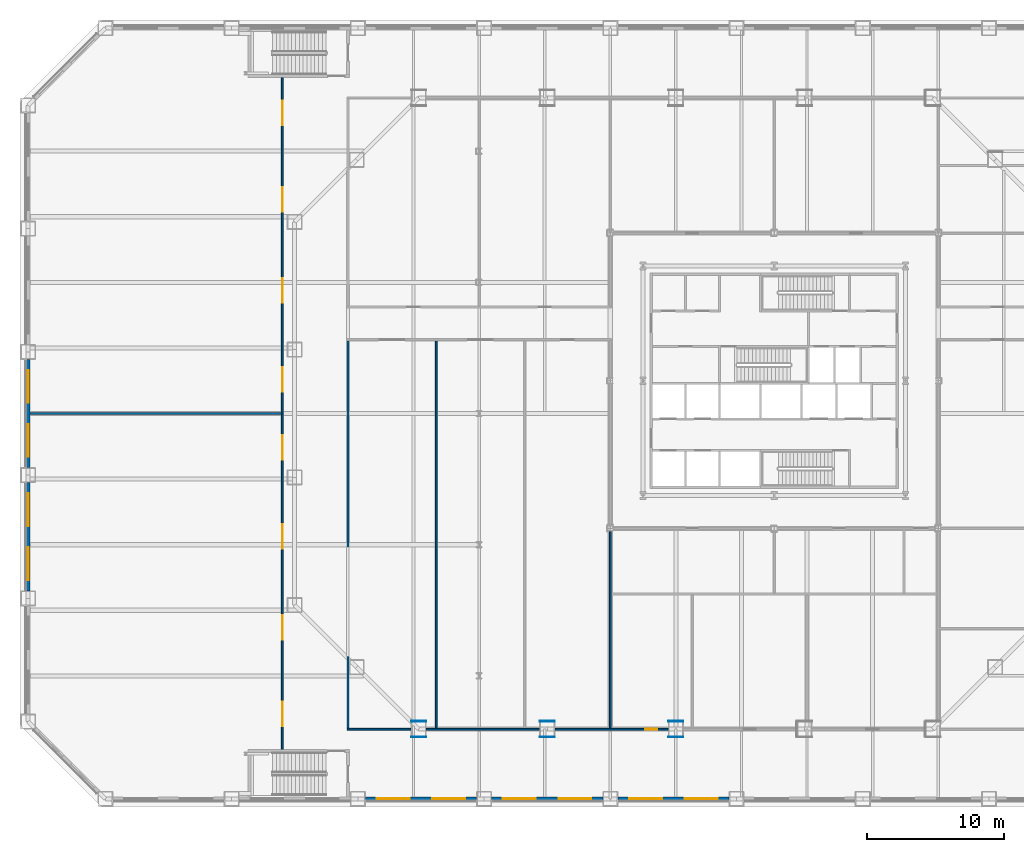
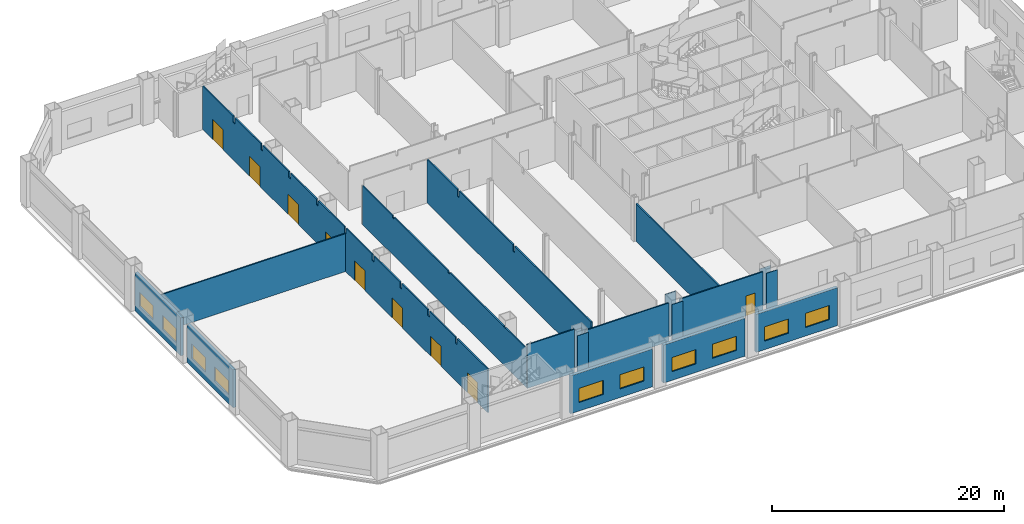
# One storey, part 12 of 26: 19 walls, 10 windows, 9 doors, 19 openings.
"""IFC4 building model written with IfcOpenShell, lengths in metres."""

from ifc_helpers import new_model, si_unit, direction, frame, frame_2d, origin, place, context, subcontext, project, spatial, polyline, rectangle, outline, extrude, material, layer, layer_set, type_object, element, fill, save


model = new_model("IFC4")

# Units and contexts
model_context = context("Model", 3, precision=1e-05, world=origin(), true_north=direction((0.0, 1.0)))
body_context = subcontext(model_context, "Body", "Model", "MODEL_VIEW")
ifc_project = project(units=[si_unit("LENGTHUNIT", "METRE"), si_unit("AREAUNIT", "SQUARE_METRE"), si_unit("VOLUMEUNIT", "CUBIC_METRE"), si_unit("PLANEANGLEUNIT", "RADIAN"), si_unit("MASSUNIT", "GRAM", prefix="KILO")], contexts=[model_context])

# Site, building, storey
site_placement = place(None, origin())
site = spatial("IfcSite", under=ifc_project, at=site_placement, CompositionType="ELEMENT")
building_placement = place(site_placement, origin())
building = spatial("IfcBuilding", under=site, at=building_placement, Name="Cairn Pilgrim Tower", CompositionType="ELEMENT")
storey_placement = place(building_placement, frame((0.0, 0.0, 25.800048828125)))
storey = spatial("IfcBuildingStorey", under=building, at=storey_placement, Name="L04", CompositionType="ELEMENT", Elevation=25.800048828125)

# Wall, openings, doors
ifc_material_1 = material(Name="Gypsum partition")
ifc_layer_1 = layer(ifc_material_1, 0.125)
ifc_layer_set_1 = layer_set([ifc_layer_1], Name="PARTITION 125 DRYWALL EI 60")
wall_type_1 = type_object("IfcWallType", Name="PARTITION 125 DRYWALL EI 60", PredefinedType="PARTITIONING", material=ifc_layer_set_1)
wall_1_placement = place(storey_placement, frame((-28.800048828125, -24.60009765625, 0.0), z_axis=(0.0, 0.0, 1.0), x_axis=(0.0, 1.0, 0.0)))
wall_1 = element("IfcWall", 1, at=wall_1_placement, inside=storey, type_object=wall_type_1, Name="PARTITION W007", PredefinedType="PARTITIONING", context=body_context, shape_type="SweptSolid", body=[
    extrude(outline(polyline([(0.0, 0.0), (49.2001953125, 0.0), (49.199951171875, 4.599853515625), (43.949951171875, 4.599853515625), (43.947998046875, 3.97998046875), (43.64990234375, 3.97998046875), (43.64794921875, 4.599853515625), (39.14990234375, 4.599853515625), (39.14794921875, 3.97998046875), (38.85009765625, 3.97998046875), (38.847900390625, 4.599853515625), (34.35009765625, 4.599853515625), (34.347900390625, 3.97998046875), (34.050048828125, 3.97998046875), (34.048095703125, 4.599853515625), (29.550048828125, 4.599853515625), (29.548095703125, 3.97998046875), (29.25, 3.97998046875), (29.248046875, 4.599853515625), (24.75, 4.599853515625), (24.748046875, 3.97998046875), (24.449951171875, 3.97998046875), (24.447998046875, 4.599853515625), (19.949951171875, 4.599853515625), (19.947998046875, 3.97998046875), (19.64990234375, 3.97998046875), (19.64794921875, 4.599853515625), (15.14990234375, 4.599853515625), (15.14794921875, 3.97998046875), (14.85009765625, 3.97998046875), (14.847900390625, 4.599853515625), (10.35009765625, 4.599853515625), (10.347900390625, 3.97998046875), (10.050048828125, 3.97998046875), (10.048095703125, 4.599853515625), (5.550048828125, 4.599853515625), (5.548095703125, 3.97998046875), (5.25, 3.97998046875), (5.248046875, 4.599853515625), (0.0, 4.599853515625), (0.0, 0.0)])), frame((0.0, 0.0625, 0.0), z_axis=(0.0, -1.0, 0.0), x_axis=(1.0, 0.0, 0.0)), (0.0, 0.0, 1.0), 0.125),
])
opening_1_placement = place(wall_1_placement, frame((1.699951171875, 0.0, 0.0)))
opening_1 = element("IfcOpeningElement", 2, at=opening_1_placement, cuts=wall_1, Name="Opening 0428", PredefinedType="OPENING", context=body_context, shape_type="SweptSolid", body=[
    extrude(rectangle(XDim=1.800048828125, YDim=2.10009765625, at=frame_2d((0.89990234375, 1.050048828125))), frame((0.0, 0.072509765625, 0.0), z_axis=(0.0, -1.0, 0.0), x_axis=(1.0, 0.0, 0.0)), (0.0, 0.0, 1.0), 0.14501953125),
])
opening_2_placement = place(wall_1_placement, frame((8.050048828125, 0.0, 0.0)))
opening_2 = element("IfcOpeningElement", 3, at=opening_2_placement, cuts=wall_1, Name="Opening 0429", PredefinedType="OPENING", context=body_context, shape_type="SweptSolid", body=[
    extrude(rectangle(XDim=1.800048828125, YDim=2.10009765625, at=frame_2d((0.89990234375, 1.050048828125))), frame((0.0, 0.072509765625, 0.0), z_axis=(0.0, -1.0, 0.0), x_axis=(1.0, 0.0, 0.0)), (0.0, 0.0, 1.0), 0.14501953125),
])
opening_3_placement = place(wall_1_placement, frame((14.699951171875, 0.0, 0.0)))
opening_3 = element("IfcOpeningElement", 4, at=opening_3_placement, cuts=wall_1, Name="Opening 0430", PredefinedType="OPENING", context=body_context, shape_type="SweptSolid", body=[
    extrude(rectangle(XDim=1.800048828125, YDim=2.10009765625, at=frame_2d((0.89990234375, 1.050048828125))), frame((0.0, 0.072509765625, 0.0), z_axis=(0.0, -1.0, 0.0), x_axis=(1.0, 0.0, 0.0)), (0.0, 0.0, 1.0), 0.14501953125),
])
opening_4_placement = place(wall_1_placement, frame((21.199951171875, 0.0, 0.0)))
opening_4 = element("IfcOpeningElement", 5, at=opening_4_placement, cuts=wall_1, Name="Opening 0431", PredefinedType="OPENING", context=body_context, shape_type="SweptSolid", body=[
    extrude(rectangle(XDim=1.800048828125, YDim=2.10009765625, at=frame_2d((0.89990234375, 1.050048828125))), frame((0.0, 0.072509765625, 0.0), z_axis=(0.0, -1.0, 0.0), x_axis=(1.0, 0.0, 0.0)), (0.0, 0.0, 1.0), 0.14501953125),
])
opening_5_placement = place(wall_1_placement, frame((26.199951171875, 0.0, 0.0)))
opening_5 = element("IfcOpeningElement", 6, at=opening_5_placement, cuts=wall_1, Name="Opening 0432", PredefinedType="OPENING", context=body_context, shape_type="SweptSolid", body=[
    extrude(rectangle(XDim=1.800048828125, YDim=2.10009765625, at=frame_2d((0.89990234375, 1.050048828125))), frame((0.0, 0.072509765625, 0.0), z_axis=(0.0, -1.0, 0.0), x_axis=(1.0, 0.0, 0.0)), (0.0, 0.0, 1.0), 0.14501953125),
])
opening_6_placement = place(wall_1_placement, frame((32.699951171875, 0.0, 0.0)))
opening_6 = element("IfcOpeningElement", 7, at=opening_6_placement, cuts=wall_1, Name="Opening 0433", PredefinedType="OPENING", context=body_context, shape_type="SweptSolid", body=[
    extrude(rectangle(XDim=1.800048828125, YDim=2.10009765625, at=frame_2d((0.89990234375, 1.050048828125))), frame((0.0, 0.072509765625, 0.0), z_axis=(0.0, -1.0, 0.0), x_axis=(1.0, 0.0, 0.0)), (0.0, 0.0, 1.0), 0.14501953125),
])
opening_7_placement = place(wall_1_placement, frame((39.35009765625, 0.0, 0.0)))
opening_7 = element("IfcOpeningElement", 8, at=opening_7_placement, cuts=wall_1, Name="Opening 0434", PredefinedType="OPENING", context=body_context, shape_type="SweptSolid", body=[
    extrude(rectangle(XDim=1.800048828125, YDim=2.10009765625, at=frame_2d((0.89990234375, 1.050048828125))), frame((0.0, 0.072509765625, 0.0), z_axis=(0.0, -1.0, 0.0), x_axis=(1.0, 0.0, 0.0)), (0.0, 0.0, 1.0), 0.14501953125),
])
opening_8_placement = place(wall_1_placement, frame((45.699951171875, 0.0, 0.0)))
opening_8 = element("IfcOpeningElement", 9, at=opening_8_placement, cuts=wall_1, Name="Opening 0435", PredefinedType="OPENING", context=body_context, shape_type="SweptSolid", body=[
    extrude(rectangle(XDim=1.800048828125, YDim=2.10009765625, at=frame_2d((0.89990234375, 1.050048828125))), frame((0.0, 0.072509765625, 0.0), z_axis=(0.0, -1.0, 0.0), x_axis=(1.0, 0.0, 0.0)), (0.0, 0.0, 1.0), 0.14501953125),
])
ifc_material_2 = material(Name="Timber door leaf", Category="wood")
door_type_1 = type_object("IfcDoorType", Name="DOOR PAIR 1800x2100 FD60S", OperationType="NOTDEFINED", PredefinedType="DOOR", material=ifc_material_2)
door_1_placement = place(opening_1_placement, frame((1.800048828125, 0.0, 0.0), z_axis=(0.0, 0.0, 1.0), x_axis=(-1.0, 0.0, 0.0)))
door_1 = element("IfcDoor", 10, at=door_1_placement, inside=storey, type_object=door_type_1, Name="DOOR 0428", OperationType="DOUBLE_DOOR_SINGLE_SWING", OverallHeight=2.10009765625, OverallWidth=1.800048828125, PredefinedType="DOOR", context=body_context, shape_type="SweptSolid", body=[
    extrude(rectangle(XDim=1.800048828125, YDim=2.10009765625, at=frame_2d((0.89990234375, 1.050048828125))), frame((0.0, 0.02490234375, 0.0), z_axis=(0.0, -1.0, 0.0), x_axis=(1.0, 0.0, 0.0)), (0.0, 0.0, 1.0), 0.050048828125),
])
fill(opening_1, door_1)
door_2_placement = place(opening_2_placement, frame((1.800048828125, 0.0, 0.0), z_axis=(0.0, 0.0, 1.0), x_axis=(-1.0, 0.0, 0.0)))
door_2 = element("IfcDoor", 11, at=door_2_placement, inside=storey, type_object=door_type_1, Name="DOOR 0429", OperationType="DOUBLE_DOOR_SINGLE_SWING", OverallHeight=2.10009765625, OverallWidth=1.800048828125, PredefinedType="DOOR", context=body_context, shape_type="SweptSolid", body=[
    extrude(rectangle(XDim=1.800048828125, YDim=2.10009765625, at=frame_2d((0.89990234375, 1.050048828125))), frame((0.0, 0.02490234375, 0.0), z_axis=(0.0, -1.0, 0.0), x_axis=(1.0, 0.0, 0.0)), (0.0, 0.0, 1.0), 0.050048828125),
])
fill(opening_2, door_2)
door_3_placement = place(opening_3_placement, frame((1.800048828125, 0.0, 0.0), z_axis=(0.0, 0.0, 1.0), x_axis=(-1.0, 0.0, 0.0)))
door_3 = element("IfcDoor", 12, at=door_3_placement, inside=storey, type_object=door_type_1, Name="DOOR 0430", OperationType="DOUBLE_DOOR_SINGLE_SWING", OverallHeight=2.10009765625, OverallWidth=1.800048828125, PredefinedType="DOOR", context=body_context, shape_type="SweptSolid", body=[
    extrude(rectangle(XDim=1.800048828125, YDim=2.10009765625, at=frame_2d((0.89990234375, 1.050048828125))), frame((0.0, 0.02490234375, 0.0), z_axis=(0.0, -1.0, 0.0), x_axis=(1.0, 0.0, 0.0)), (0.0, 0.0, 1.0), 0.050048828125),
])
fill(opening_3, door_3)
door_4_placement = place(opening_4_placement, frame((1.800048828125, 0.0, 0.0), z_axis=(0.0, 0.0, 1.0), x_axis=(-1.0, 0.0, 0.0)))
door_4 = element("IfcDoor", 13, at=door_4_placement, inside=storey, type_object=door_type_1, Name="DOOR 0431", OperationType="DOUBLE_DOOR_SINGLE_SWING", OverallHeight=2.10009765625, OverallWidth=1.800048828125, PredefinedType="DOOR", context=body_context, shape_type="SweptSolid", body=[
    extrude(rectangle(XDim=1.800048828125, YDim=2.10009765625, at=frame_2d((0.89990234375, 1.050048828125))), frame((0.0, 0.02490234375, 0.0), z_axis=(0.0, -1.0, 0.0), x_axis=(1.0, 0.0, 0.0)), (0.0, 0.0, 1.0), 0.050048828125),
])
fill(opening_4, door_4)
door_5_placement = place(opening_5_placement, frame((1.800048828125, 0.0, 0.0), z_axis=(0.0, 0.0, 1.0), x_axis=(-1.0, 0.0, 0.0)))
door_5 = element("IfcDoor", 14, at=door_5_placement, inside=storey, type_object=door_type_1, Name="DOOR 0432", OperationType="DOUBLE_DOOR_SINGLE_SWING", OverallHeight=2.10009765625, OverallWidth=1.800048828125, PredefinedType="DOOR", context=body_context, shape_type="SweptSolid", body=[
    extrude(rectangle(XDim=1.800048828125, YDim=2.10009765625, at=frame_2d((0.89990234375, 1.050048828125))), frame((0.0, 0.02490234375, 0.0), z_axis=(0.0, -1.0, 0.0), x_axis=(1.0, 0.0, 0.0)), (0.0, 0.0, 1.0), 0.050048828125),
])
fill(opening_5, door_5)
door_6_placement = place(opening_6_placement, frame((1.800048828125, 0.0, 0.0), z_axis=(0.0, 0.0, 1.0), x_axis=(-1.0, 0.0, 0.0)))
door_6 = element("IfcDoor", 15, at=door_6_placement, inside=storey, type_object=door_type_1, Name="DOOR 0433", OperationType="DOUBLE_DOOR_SINGLE_SWING", OverallHeight=2.10009765625, OverallWidth=1.800048828125, PredefinedType="DOOR", context=body_context, shape_type="SweptSolid", body=[
    extrude(rectangle(XDim=1.800048828125, YDim=2.10009765625, at=frame_2d((0.89990234375, 1.050048828125))), frame((0.0, 0.02490234375, 0.0), z_axis=(0.0, -1.0, 0.0), x_axis=(1.0, 0.0, 0.0)), (0.0, 0.0, 1.0), 0.050048828125),
])
fill(opening_6, door_6)
door_7_placement = place(opening_7_placement, frame((1.800048828125, 0.0, 0.0), z_axis=(0.0, 0.0, 1.0), x_axis=(-1.0, 0.0, 0.0)))
door_7 = element("IfcDoor", 16, at=door_7_placement, inside=storey, type_object=door_type_1, Name="DOOR 0434", OperationType="DOUBLE_DOOR_SINGLE_SWING", OverallHeight=2.10009765625, OverallWidth=1.800048828125, PredefinedType="DOOR", context=body_context, shape_type="SweptSolid", body=[
    extrude(rectangle(XDim=1.800048828125, YDim=2.10009765625, at=frame_2d((0.89990234375, 1.050048828125))), frame((0.0, 0.02490234375, 0.0), z_axis=(0.0, -1.0, 0.0), x_axis=(1.0, 0.0, 0.0)), (0.0, 0.0, 1.0), 0.050048828125),
])
fill(opening_7, door_7)
door_8_placement = place(opening_8_placement, frame((1.800048828125, 0.0, 0.0), z_axis=(0.0, 0.0, 1.0), x_axis=(-1.0, 0.0, 0.0)))
door_8 = element("IfcDoor", 17, at=door_8_placement, inside=storey, type_object=door_type_1, Name="DOOR 0435", OperationType="DOUBLE_DOOR_SINGLE_SWING", OverallHeight=2.10009765625, OverallWidth=1.800048828125, PredefinedType="DOOR", context=body_context, shape_type="SweptSolid", body=[
    extrude(rectangle(XDim=1.800048828125, YDim=2.10009765625, at=frame_2d((0.89990234375, 1.050048828125))), frame((0.0, 0.02490234375, 0.0), z_axis=(0.0, -1.0, 0.0), x_axis=(1.0, 0.0, 0.0)), (0.0, 0.0, 1.0), 0.050048828125),
])
fill(opening_8, door_8)

# Walls
wall_2_placement = place(storey_placement, frame((-24.0625, -23.10009765625, 0.0), z_axis=(0.0, 0.0, 1.0), x_axis=(1.0, 0.0, 0.0)))
element("IfcWall", 18, at=wall_2_placement, inside=storey, type_object=wall_type_1, Name="PARTITION W008", PredefinedType="PARTITIONING", context=body_context, shape_type="SweptSolid", body=[
    extrude(rectangle(XDim=4.685302734375, YDim=0.125, at=frame_2d((2.3427734375, 0.0))), origin(), (0.0, 0.0, 1.0), 4.599853515625),
])
wall_3_placement = place(storey_placement, frame((-18.277099609375, -23.10009765625, 0.0), z_axis=(0.0, 0.0, 1.0), x_axis=(1.0, 0.0, 0.0)))
element("IfcWall", 19, at=wall_3_placement, inside=storey, type_object=wall_type_1, Name="PARTITION W009", PredefinedType="PARTITIONING", context=body_context, shape_type="SweptSolid", body=[
    extrude(rectangle(XDim=8.3134765625, YDim=0.125, at=frame_2d((4.15673828125, 0.0))), origin(), (0.0, 0.0, 1.0), 4.079833984375),
])

# Wall, opening, door
wall_4_placement = place(storey_placement, frame((-8.863525390625, -23.10009765625, 0.0), z_axis=(0.0, 0.0, 1.0), x_axis=(1.0, 0.0, 0.0)))
wall_4 = element("IfcWall", 20, at=wall_4_placement, inside=storey, type_object=wall_type_1, Name="PARTITION W010", PredefinedType="PARTITIONING", context=body_context, shape_type="SweptSolid", body=[
    extrude(rectangle(XDim=8.3134765625, YDim=0.125, at=frame_2d((4.15673828125, 0.0))), origin(), (0.0, 0.0, 1.0), 4.079833984375),
])
opening_9_placement = place(wall_4_placement, frame((6.613525390625, 0.0, 0.0)))
opening_9 = element("IfcOpeningElement", 21, at=opening_9_placement, cuts=wall_4, Name="Opening 0411", PredefinedType="OPENING", context=body_context, shape_type="SweptSolid", body=[
    extrude(rectangle(XDim=0.89990234375, YDim=2.10009765625, at=frame_2d((0.449951171875, 1.050048828125))), frame((0.0, 0.072509765625, 0.0), z_axis=(0.0, -1.0, 0.0), x_axis=(1.0, 0.0, 0.0)), (0.0, 0.0, 1.0), 0.14501953125),
])
door_type_2 = type_object("IfcDoorType", Name="SERVICE DOOR 900x2100 FD30S", OperationType="NOTDEFINED", PredefinedType="DOOR", material=ifc_material_2)
door_9_placement = place(opening_9_placement, frame((0.89990234375, 0.0, 0.0), z_axis=(0.0, 0.0, 1.0), x_axis=(-1.0, 0.0, 0.0)))
door_9 = element("IfcDoor", 22, at=door_9_placement, inside=storey, type_object=door_type_2, Name="DOOR 0411", OperationType="SINGLE_SWING_LEFT", OverallHeight=2.10009765625, OverallWidth=0.89990234375, PredefinedType="DOOR", context=body_context, shape_type="SweptSolid", body=[
    extrude(rectangle(XDim=0.89990234375, YDim=2.10009765625, at=frame_2d((0.449951171875, 1.050048828125))), frame((0.0, 0.02490234375, 0.0), z_axis=(0.0, -1.0, 0.0), x_axis=(1.0, 0.0, 0.0)), (0.0, 0.0, 1.0), 0.050048828125),
])
fill(opening_9, door_9)

# Walls
wall_5_placement = place(storey_placement, frame((-24.0, -23.03759765625, 0.0), z_axis=(0.0, 0.0, 1.0), x_axis=(0.0, 1.0, 0.0)))
element("IfcWall", 23, at=wall_5_placement, inside=storey, type_object=wall_type_1, Name="PARTITION W014", PredefinedType="PARTITIONING", context=body_context, shape_type="SweptSolid", body=[
    extrude(outline(polyline([(0.0, 0.0), (28.375, 0.0), (28.375, 4.079833984375), (23.1875, 4.079833984375), (23.185546875, 3.8798828125), (22.887451171875, 3.8798828125), (22.885498046875, 4.079833984375), (13.58740234375, 4.079833984375), (13.58544921875, 3.8798828125), (13.28759765625, 3.8798828125), (13.285400390625, 4.079833984375), (3.987548828125, 4.079833984375), (3.985595703125, 3.97998046875), (3.6875, 3.97998046875), (3.685546875, 4.079833984375), (0.0, 4.079833984375), (0.0, 0.0)])), frame((0.0, 0.0625, 0.0), z_axis=(0.0, -1.0, 0.0), x_axis=(1.0, 0.0, 0.0)), (0.0, 0.0, 1.0), 0.125),
])
wall_6_placement = place(storey_placement, frame((-17.532958984375, -23.03759765625, 0.0), z_axis=(0.0, 0.0, 1.0), x_axis=(0.0, 1.0, 0.0)))
element("IfcWall", 24, at=wall_6_placement, inside=storey, type_object=wall_type_1, Name="PARTITION W015", PredefinedType="PARTITIONING", context=body_context, shape_type="SweptSolid", body=[
    extrude(outline(polyline([(0.0, 0.0), (28.375, 0.0), (28.375, 4.599853515625), (23.1875, 4.599853515625), (23.185546875, 3.8798828125), (22.887451171875, 3.8798828125), (22.885498046875, 4.599853515625), (13.58740234375, 4.599853515625), (13.58544921875, 3.8798828125), (13.28759765625, 3.8798828125), (13.285400390625, 4.599853515625), (0.08740234375, 4.599853515625), (0.08544921875, 4.079833984375), (0.0, 4.079833984375), (0.0, 0.0)])), frame((0.0, 0.0625, 0.0), z_axis=(0.0, -1.0, 0.0), x_axis=(1.0, 0.0, 0.0)), (0.0, 0.0, 1.0), 0.125),
])
wall_7_placement = place(storey_placement, frame((-4.800048828125, -23.03759765625, 0.0), z_axis=(0.0, 0.0, 1.0), x_axis=(0.0, 1.0, 0.0)))
element("IfcWall", 25, at=wall_7_placement, inside=storey, type_object=wall_type_1, Name="PARTITION W017", PredefinedType="PARTITIONING", context=body_context, shape_type="SweptSolid", body=[
    extrude(rectangle(XDim=14.400634765625, YDim=0.125, at=frame_2d((7.2001953125, 0.0))), origin(), (0.0, 0.0, 1.0), 3.97998046875),
])
wall_8_placement = place(storey_placement, frame((-47.25, 0.0, 0.0), z_axis=(0.0, 0.0, 1.0), x_axis=(1.0, 0.0, 0.0)))
element("IfcWall", 26, at=wall_8_placement, inside=storey, type_object=wall_type_1, Name="PARTITION W038", PredefinedType="PARTITIONING", context=body_context, shape_type="SweptSolid", body=[
    extrude(rectangle(XDim=18.387451171875, YDim=0.125, at=frame_2d((9.19384765625, 0.0))), origin(), (0.0, 0.0, 1.0), 3.97998046875),
])
ifc_layer_2 = layer(ifc_material_1, 0.050048828125)
ifc_layer_set_2 = layer_set([ifc_layer_2], Name="PARTITION 50 DRYWALL EI 60")
wall_type_2 = type_object("IfcWallType", Name="PARTITION 50 DRYWALL EI 60", PredefinedType="PARTITIONING", material=ifc_layer_set_2)
wall_9_placement = place(storey_placement, frame((-19.377197265625, -22.52490234375, 0.0), z_axis=(0.0, 0.0, 1.0), x_axis=(1.0, 0.0, 0.0)))
element("IfcWall", 27, at=wall_9_placement, inside=storey, type_object=wall_type_2, Name="COLUMN CASING WC01", PredefinedType="PARTITIONING", context=body_context, shape_type="SweptSolid", body=[
    extrude(rectangle(XDim=1.10009765625, YDim=0.050048828125, at=frame_2d((0.550048828125, 0.0))), origin(), (0.0, 0.0, 1.0), 3.97998046875),
])
wall_10_placement = place(storey_placement, frame((-19.377197265625, -23.675048828125, 0.0), z_axis=(0.0, 0.0, 1.0), x_axis=(1.0, 0.0, 0.0)))
element("IfcWall", 28, at=wall_10_placement, inside=storey, type_object=wall_type_2, Name="COLUMN CASING WC02", PredefinedType="PARTITIONING", context=body_context, shape_type="SweptSolid", body=[
    extrude(rectangle(XDim=1.10009765625, YDim=0.050048828125, at=frame_2d((0.550048828125, 0.0))), origin(), (0.0, 0.0, 1.0), 4.219970703125),
])
wall_11_placement = place(storey_placement, frame((-9.963623046875, -22.52490234375, 0.0), z_axis=(0.0, 0.0, 1.0), x_axis=(1.0, 0.0, 0.0)))
element("IfcWall", 29, at=wall_11_placement, inside=storey, type_object=wall_type_2, Name="COLUMN CASING WC03", PredefinedType="PARTITIONING", context=body_context, shape_type="SweptSolid", body=[
    extrude(rectangle(XDim=1.10009765625, YDim=0.050048828125, at=frame_2d((0.550048828125, 0.0))), origin(), (0.0, 0.0, 1.0), 4.599853515625),
])
wall_12_placement = place(storey_placement, frame((-9.963623046875, -23.675048828125, 0.0), z_axis=(0.0, 0.0, 1.0), x_axis=(1.0, 0.0, 0.0)))
element("IfcWall", 30, at=wall_12_placement, inside=storey, type_object=wall_type_2, Name="COLUMN CASING WC04", PredefinedType="PARTITIONING", context=body_context, shape_type="SweptSolid", body=[
    extrude(rectangle(XDim=1.10009765625, YDim=0.050048828125, at=frame_2d((0.550048828125, 0.0))), origin(), (0.0, 0.0, 1.0), 4.219970703125),
])
wall_13_placement = place(storey_placement, frame((-0.550048828125, -22.52490234375, 0.0), z_axis=(0.0, 0.0, 1.0), x_axis=(1.0, 0.0, 0.0)))
element("IfcWall", 31, at=wall_13_placement, inside=storey, type_object=wall_type_2, Name="COLUMN CASING WC05", PredefinedType="PARTITIONING", context=body_context, shape_type="SweptSolid", body=[
    extrude(rectangle(XDim=1.10009765625, YDim=0.050048828125, at=frame_2d((0.550048828125, 0.0))), origin(), (0.0, 0.0, 1.0), 3.97998046875),
])
wall_14_placement = place(storey_placement, frame((-0.550048828125, -23.675048828125, 0.0), z_axis=(0.0, 0.0, 1.0), x_axis=(1.0, 0.0, 0.0)))
element("IfcWall", 32, at=wall_14_placement, inside=storey, type_object=wall_type_2, Name="COLUMN CASING WC06", PredefinedType="PARTITIONING", context=body_context, shape_type="SweptSolid", body=[
    extrude(rectangle(XDim=1.10009765625, YDim=0.050048828125, at=frame_2d((0.550048828125, 0.0))), origin(), (0.0, 0.0, 1.0), 4.219970703125),
])

# Wall, openings, windows
ifc_material_3 = material(Name="Concrete C35/45 backup wall with bronze aluminium cladding", Category="concrete")
ifc_layer_3 = layer(ifc_material_3, 0.300048828125)
ifc_layer_set_3 = layer_set([ifc_layer_3], Name="PODIUM WALL 300 BRONZE-CLAD")
wall_type_3 = type_object("IfcWallType", Name="PODIUM WALL 300 BRONZE-CLAD", PredefinedType="SOLIDWALL", material=ifc_layer_set_3)
wall_15_placement = place(storey_placement, frame((-22.7255859375, -28.199951171875, 0.0), z_axis=(0.0, 0.0, 1.0), x_axis=(1.0, 0.0, 0.0)))
wall_15 = element("IfcWall", 33, at=wall_15_placement, inside=storey, type_object=wall_type_3, Name="PODIUM EXTERNAL WALL S3-S4", PredefinedType="SOLIDWALL", context=body_context, shape_type="SweptSolid", body=[
    extrude(rectangle(XDim=8.1376953125, YDim=0.300048828125, at=frame_2d((4.06884765625, 0.0))), origin(), (0.0, 0.0, 1.0), 4.0),
])
opening_10_placement = place(wall_15_placement, frame((0.83447265625, 0.0, 0.89990234375)))
opening_10 = element("IfcOpeningElement", 34, at=opening_10_placement, cuts=wall_15, Name="Opening PW15", PredefinedType="OPENING", context=body_context, shape_type="SweptSolid", body=[
    extrude(rectangle(XDim=2.39990234375, YDim=1.5, at=frame_2d((1.199951171875, 0.75))), frame((0.0, 0.16015625, 0.0), z_axis=(0.0, -1.0, 0.0), x_axis=(1.0, 0.0, 0.0)), (0.0, 0.0, 1.0), 0.320068359375),
])
opening_11_placement = place(wall_15_placement, frame((4.9033203125, 0.0, 0.89990234375)))
opening_11 = element("IfcOpeningElement", 35, at=opening_11_placement, cuts=wall_15, Name="Opening PW15", PredefinedType="OPENING", context=body_context, shape_type="SweptSolid", body=[
    extrude(rectangle(XDim=2.39990234375, YDim=1.5, at=frame_2d((1.199951171875, 0.75))), frame((0.0, 0.16015625, 0.0), z_axis=(0.0, -1.0, 0.0), x_axis=(1.0, 0.0, 0.0)), (0.0, 0.0, 1.0), 0.320068359375),
])
ifc_material_4 = material(Name="Bronze anodised aluminium frame with tinted low-E glass", Category="aluminium")
window_type = type_object("IfcWindowType", Name="PODIUM FIXED WINDOW 2400x1500", PartitioningType="SINGLE_PANEL", PredefinedType="WINDOW", material=ifc_material_4)
window_1_placement = place(opening_10_placement, origin())
window_1 = element("IfcWindow", 36, at=window_1_placement, inside=storey, type_object=window_type, Name="PODIUM WINDOW", OverallHeight=1.5, OverallWidth=2.39990234375, PartitioningType="SINGLE_PANEL", PredefinedType="WINDOW", context=body_context, shape_type="SweptSolid", body=[
    extrude(rectangle(XDim=2.39990234375, YDim=1.5, at=frame_2d((1.199951171875, 0.75))), frame((0.0, 0.030029296875, 0.0), z_axis=(0.0, -1.0, 0.0), x_axis=(1.0, 0.0, 0.0)), (0.0, 0.0, 1.0), 0.06005859375),
])
fill(opening_10, window_1)
window_2_placement = place(opening_11_placement, origin())
window_2 = element("IfcWindow", 37, at=window_2_placement, inside=storey, type_object=window_type, Name="PODIUM WINDOW", OverallHeight=1.5, OverallWidth=2.39990234375, PartitioningType="SINGLE_PANEL", PredefinedType="WINDOW", context=body_context, shape_type="SweptSolid", body=[
    extrude(rectangle(XDim=2.39990234375, YDim=1.5, at=frame_2d((1.199951171875, 0.75))), frame((0.0, 0.030029296875, 0.0), z_axis=(0.0, -1.0, 0.0), x_axis=(1.0, 0.0, 0.0)), (0.0, 0.0, 1.0), 0.06005859375),
])
fill(opening_11, window_2)

wall_16_placement = place(storey_placement, frame((-13.48779296875, -28.199951171875, 0.0), z_axis=(0.0, 0.0, 1.0), x_axis=(1.0, 0.0, 0.0)))
wall_16 = element("IfcWall", 38, at=wall_16_placement, inside=storey, type_object=wall_type_3, Name="PODIUM EXTERNAL WALL S4-S5", PredefinedType="SOLIDWALL", context=body_context, shape_type="SweptSolid", body=[
    extrude(rectangle(XDim=8.1376953125, YDim=0.300048828125, at=frame_2d((4.06884765625, 0.0))), origin(), (0.0, 0.0, 1.0), 4.0),
])
opening_12_placement = place(wall_16_placement, frame((0.83447265625, 0.0, 0.89990234375)))
opening_12 = element("IfcOpeningElement", 39, at=opening_12_placement, cuts=wall_16, Name="Opening PW15", PredefinedType="OPENING", context=body_context, shape_type="SweptSolid", body=[
    extrude(rectangle(XDim=2.39990234375, YDim=1.5, at=frame_2d((1.199951171875, 0.75))), frame((0.0, 0.16015625, 0.0), z_axis=(0.0, -1.0, 0.0), x_axis=(1.0, 0.0, 0.0)), (0.0, 0.0, 1.0), 0.320068359375),
])
opening_13_placement = place(wall_16_placement, frame((4.9033203125, 0.0, 0.89990234375)))
opening_13 = element("IfcOpeningElement", 40, at=opening_13_placement, cuts=wall_16, Name="Opening PW15", PredefinedType="OPENING", context=body_context, shape_type="SweptSolid", body=[
    extrude(rectangle(XDim=2.39990234375, YDim=1.5, at=frame_2d((1.199951171875, 0.75))), frame((0.0, 0.16015625, 0.0), z_axis=(0.0, -1.0, 0.0), x_axis=(1.0, 0.0, 0.0)), (0.0, 0.0, 1.0), 0.320068359375),
])
window_3_placement = place(opening_12_placement, origin())
window_3 = element("IfcWindow", 41, at=window_3_placement, inside=storey, type_object=window_type, Name="PODIUM WINDOW", OverallHeight=1.5, OverallWidth=2.39990234375, PartitioningType="SINGLE_PANEL", PredefinedType="WINDOW", context=body_context, shape_type="SweptSolid", body=[
    extrude(rectangle(XDim=2.39990234375, YDim=1.5, at=frame_2d((1.199951171875, 0.75))), frame((0.0, 0.030029296875, 0.0), z_axis=(0.0, -1.0, 0.0), x_axis=(1.0, 0.0, 0.0)), (0.0, 0.0, 1.0), 0.06005859375),
])
fill(opening_12, window_3)
window_4_placement = place(opening_13_placement, origin())
window_4 = element("IfcWindow", 42, at=window_4_placement, inside=storey, type_object=window_type, Name="PODIUM WINDOW", OverallHeight=1.5, OverallWidth=2.39990234375, PartitioningType="SINGLE_PANEL", PredefinedType="WINDOW", context=body_context, shape_type="SweptSolid", body=[
    extrude(rectangle(XDim=2.39990234375, YDim=1.5, at=frame_2d((1.199951171875, 0.75))), frame((0.0, 0.030029296875, 0.0), z_axis=(0.0, -1.0, 0.0), x_axis=(1.0, 0.0, 0.0)), (0.0, 0.0, 1.0), 0.06005859375),
])
fill(opening_13, window_4)

wall_17_placement = place(storey_placement, frame((-4.25, -28.199951171875, 0.0), z_axis=(0.0, 0.0, 1.0), x_axis=(1.0, 0.0, 0.0)))
wall_17 = element("IfcWall", 43, at=wall_17_placement, inside=storey, type_object=wall_type_3, Name="PODIUM EXTERNAL WALL S5-S6", PredefinedType="SOLIDWALL", context=body_context, shape_type="SweptSolid", body=[
    extrude(rectangle(XDim=8.137939453125, YDim=0.300048828125, at=frame_2d((4.06884765625, 0.0))), origin(), (0.0, 0.0, 1.0), 4.0),
])
opening_14_placement = place(wall_17_placement, frame((0.83447265625, 0.0, 0.89990234375)))
opening_14 = element("IfcOpeningElement", 44, at=opening_14_placement, cuts=wall_17, Name="Opening PW15", PredefinedType="OPENING", context=body_context, shape_type="SweptSolid", body=[
    extrude(rectangle(XDim=2.39990234375, YDim=1.5, at=frame_2d((1.199951171875, 0.75))), frame((0.0, 0.16015625, 0.0), z_axis=(0.0, -1.0, 0.0), x_axis=(1.0, 0.0, 0.0)), (0.0, 0.0, 1.0), 0.320068359375),
])
opening_15_placement = place(wall_17_placement, frame((4.9033203125, 0.0, 0.89990234375)))
opening_15 = element("IfcOpeningElement", 45, at=opening_15_placement, cuts=wall_17, Name="Opening PW15", PredefinedType="OPENING", context=body_context, shape_type="SweptSolid", body=[
    extrude(rectangle(XDim=2.39990234375, YDim=1.5, at=frame_2d((1.199951171875, 0.75))), frame((0.0, 0.16015625, 0.0), z_axis=(0.0, -1.0, 0.0), x_axis=(1.0, 0.0, 0.0)), (0.0, 0.0, 1.0), 0.320068359375),
])
window_5_placement = place(opening_14_placement, origin())
window_5 = element("IfcWindow", 46, at=window_5_placement, inside=storey, type_object=window_type, Name="PODIUM WINDOW", OverallHeight=1.5, OverallWidth=2.39990234375, PartitioningType="SINGLE_PANEL", PredefinedType="WINDOW", context=body_context, shape_type="SweptSolid", body=[
    extrude(rectangle(XDim=2.39990234375, YDim=1.5, at=frame_2d((1.199951171875, 0.75))), frame((0.0, 0.030029296875, 0.0), z_axis=(0.0, -1.0, 0.0), x_axis=(1.0, 0.0, 0.0)), (0.0, 0.0, 1.0), 0.06005859375),
])
fill(opening_14, window_5)
window_6_placement = place(opening_15_placement, origin())
window_6 = element("IfcWindow", 47, at=window_6_placement, inside=storey, type_object=window_type, Name="PODIUM WINDOW", OverallHeight=1.5, OverallWidth=2.39990234375, PartitioningType="SINGLE_PANEL", PredefinedType="WINDOW", context=body_context, shape_type="SweptSolid", body=[
    extrude(rectangle(XDim=2.39990234375, YDim=1.5, at=frame_2d((1.199951171875, 0.75))), frame((0.0, 0.030029296875, 0.0), z_axis=(0.0, -1.0, 0.0), x_axis=(1.0, 0.0, 0.0)), (0.0, 0.0, 1.0), 0.06005859375),
])
fill(opening_15, window_6)

wall_18_placement = place(storey_placement, frame((-47.39990234375, 3.960205078125, 0.0), z_axis=(0.0, 0.0, 1.0), x_axis=(0.0, -1.0, 0.0)))
wall_18 = element("IfcWall", 48, at=wall_18_placement, inside=storey, type_object=wall_type_3, Name="PODIUM EXTERNAL WALL W3-W4", PredefinedType="SOLIDWALL", context=body_context, shape_type="SweptSolid", body=[
    extrude(rectangle(XDim=7.92041015625, YDim=0.300048828125, at=frame_2d((3.960205078125, 0.0))), origin(), (0.0, 0.0, 1.0), 4.0),
])
opening_16_placement = place(wall_18_placement, frame((0.780029296875, 0.0, 0.89990234375)))
opening_16 = element("IfcOpeningElement", 49, at=opening_16_placement, cuts=wall_18, Name="Opening PW15", PredefinedType="OPENING", context=body_context, shape_type="SweptSolid", body=[
    extrude(rectangle(XDim=2.39990234375, YDim=1.5, at=frame_2d((1.199951171875, 0.75))), frame((0.0, 0.16015625, 0.0), z_axis=(0.0, -1.0, 0.0), x_axis=(1.0, 0.0, 0.0)), (0.0, 0.0, 1.0), 0.320068359375),
])
opening_17_placement = place(wall_18_placement, frame((4.740478515625, 0.0, 0.89990234375)))
opening_17 = element("IfcOpeningElement", 50, at=opening_17_placement, cuts=wall_18, Name="Opening PW15", PredefinedType="OPENING", context=body_context, shape_type="SweptSolid", body=[
    extrude(rectangle(XDim=2.39990234375, YDim=1.5, at=frame_2d((1.199951171875, 0.75))), frame((0.0, 0.16015625, 0.0), z_axis=(0.0, -1.0, 0.0), x_axis=(1.0, 0.0, 0.0)), (0.0, 0.0, 1.0), 0.320068359375),
])
window_7_placement = place(opening_16_placement, origin())
window_7 = element("IfcWindow", 51, at=window_7_placement, inside=storey, type_object=window_type, Name="PODIUM WINDOW", OverallHeight=1.5, OverallWidth=2.39990234375, PartitioningType="SINGLE_PANEL", PredefinedType="WINDOW", context=body_context, shape_type="SweptSolid", body=[
    extrude(rectangle(XDim=2.39990234375, YDim=1.5, at=frame_2d((1.199951171875, 0.75))), frame((0.0, 0.030029296875, 0.0), z_axis=(0.0, -1.0, 0.0), x_axis=(1.0, 0.0, 0.0)), (0.0, 0.0, 1.0), 0.06005859375),
])
fill(opening_16, window_7)
window_8_placement = place(opening_17_placement, origin())
window_8 = element("IfcWindow", 52, at=window_8_placement, inside=storey, type_object=window_type, Name="PODIUM WINDOW", OverallHeight=1.5, OverallWidth=2.39990234375, PartitioningType="SINGLE_PANEL", PredefinedType="WINDOW", context=body_context, shape_type="SweptSolid", body=[
    extrude(rectangle(XDim=2.39990234375, YDim=1.5, at=frame_2d((1.199951171875, 0.75))), frame((0.0, 0.030029296875, 0.0), z_axis=(0.0, -1.0, 0.0), x_axis=(1.0, 0.0, 0.0)), (0.0, 0.0, 1.0), 0.06005859375),
])
fill(opening_17, window_8)

wall_19_placement = place(storey_placement, frame((-47.39990234375, -5.060302734375, 0.0), z_axis=(0.0, 0.0, 1.0), x_axis=(0.0, -1.0, 0.0)))
wall_19 = element("IfcWall", 53, at=wall_19_placement, inside=storey, type_object=wall_type_3, Name="PODIUM EXTERNAL WALL W4-W5", PredefinedType="SOLIDWALL", context=body_context, shape_type="SweptSolid", body=[
    extrude(rectangle(XDim=7.920654296875, YDim=0.300048828125, at=frame_2d((3.96044921875, 0.0))), origin(), (0.0, 0.0, 1.0), 4.0),
])
opening_18_placement = place(wall_19_placement, frame((0.780029296875, 0.0, 0.89990234375)))
opening_18 = element("IfcOpeningElement", 54, at=opening_18_placement, cuts=wall_19, Name="Opening PW15", PredefinedType="OPENING", context=body_context, shape_type="SweptSolid", body=[
    extrude(rectangle(XDim=2.39990234375, YDim=1.5, at=frame_2d((1.199951171875, 0.75))), frame((0.0, 0.16015625, 0.0), z_axis=(0.0, -1.0, 0.0), x_axis=(1.0, 0.0, 0.0)), (0.0, 0.0, 1.0), 0.320068359375),
])
opening_19_placement = place(wall_19_placement, frame((4.740478515625, 0.0, 0.89990234375)))
opening_19 = element("IfcOpeningElement", 55, at=opening_19_placement, cuts=wall_19, Name="Opening PW15", PredefinedType="OPENING", context=body_context, shape_type="SweptSolid", body=[
    extrude(rectangle(XDim=2.39990234375, YDim=1.5, at=frame_2d((1.199951171875, 0.75))), frame((0.0, 0.16015625, 0.0), z_axis=(0.0, -1.0, 0.0), x_axis=(1.0, 0.0, 0.0)), (0.0, 0.0, 1.0), 0.320068359375),
])
window_9_placement = place(opening_18_placement, origin())
window_9 = element("IfcWindow", 56, at=window_9_placement, inside=storey, type_object=window_type, Name="PODIUM WINDOW", OverallHeight=1.5, OverallWidth=2.39990234375, PartitioningType="SINGLE_PANEL", PredefinedType="WINDOW", context=body_context, shape_type="SweptSolid", body=[
    extrude(rectangle(XDim=2.39990234375, YDim=1.5, at=frame_2d((1.199951171875, 0.75))), frame((0.0, 0.030029296875, 0.0), z_axis=(0.0, -1.0, 0.0), x_axis=(1.0, 0.0, 0.0)), (0.0, 0.0, 1.0), 0.06005859375),
])
fill(opening_18, window_9)
window_10_placement = place(opening_19_placement, origin())
window_10 = element("IfcWindow", 57, at=window_10_placement, inside=storey, type_object=window_type, Name="PODIUM WINDOW", OverallHeight=1.5, OverallWidth=2.39990234375, PartitioningType="SINGLE_PANEL", PredefinedType="WINDOW", context=body_context, shape_type="SweptSolid", body=[
    extrude(rectangle(XDim=2.39990234375, YDim=1.5, at=frame_2d((1.199951171875, 0.75))), frame((0.0, 0.030029296875, 0.0), z_axis=(0.0, -1.0, 0.0), x_axis=(1.0, 0.0, 0.0)), (0.0, 0.0, 1.0), 0.06005859375),
])
fill(opening_19, window_10)

save(model, "model.ifc")
